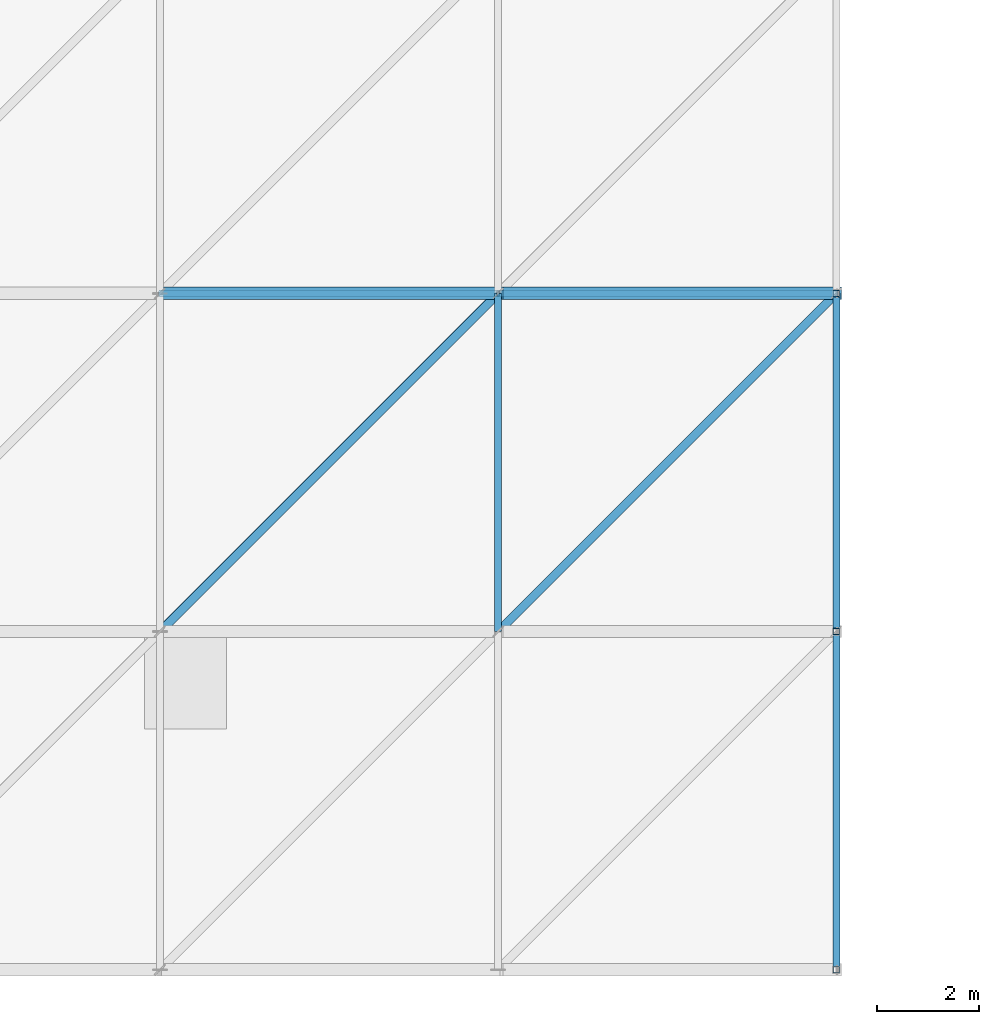
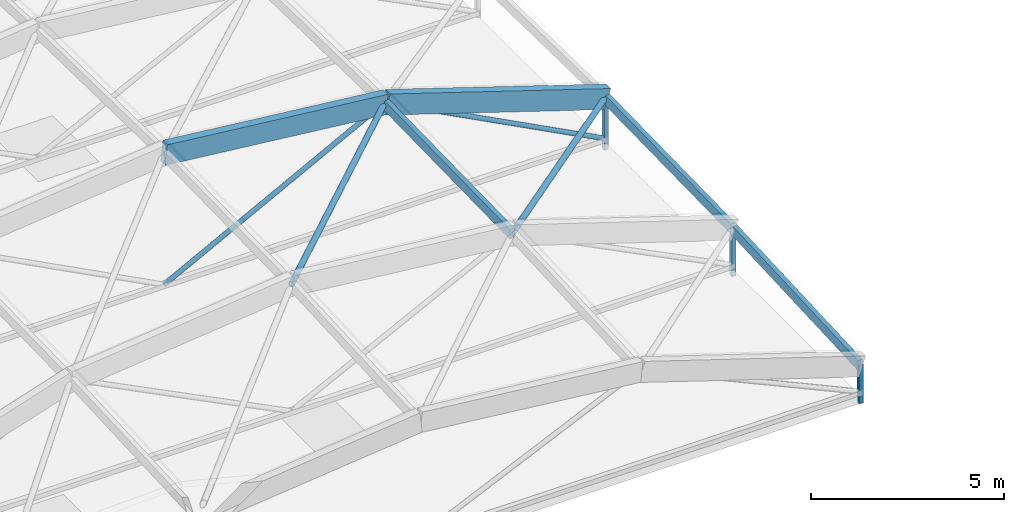
# One storey, part 25 of 157: 12 members.
"""IFC4 building model written with IfcOpenShell, lengths in metres."""

from ifc_helpers import new_model, si_unit, direction, frame, origin, origin_2d, place, context, subcontext, project, spatial, rectangle, hollow_rectangle, hollow_circle, extrude, material, material_profile, profile_set, type_object, element, save


model = new_model("IFC4")

# Units and contexts
model_context = context("Model", 3, precision=1e-05, world=origin(), true_north=direction((0.0, 1.0)))
body_context = subcontext(model_context, "Body", "Model", "MODEL_VIEW")
ifc_project = project(units=[si_unit("LENGTHUNIT", "METRE"), si_unit("AREAUNIT", "SQUARE_METRE"), si_unit("VOLUMEUNIT", "CUBIC_METRE"), si_unit("PLANEANGLEUNIT", "RADIAN"), si_unit("MASSUNIT", "GRAM", prefix="KILO")], contexts=[model_context])

# Site, building, storey
site_placement = place(None, origin())
site = spatial("IfcSite", under=ifc_project, at=site_placement, CompositionType="ELEMENT")
building_placement = place(site_placement, origin())
building = spatial("IfcBuilding", under=site, at=building_placement, Name="Karori Crest Natural Sciences Institute", CompositionType="ELEMENT")
storey_placement = place(building_placement, frame((0.0, 0.0, 13.300048828125)))
storey = spatial("IfcBuildingStorey", under=building, at=storey_placement, Name="L03", CompositionType="ELEMENT", Elevation=13.300048828125)

# Members
ifc_material_1 = material(Name="Hollow structural steel AS/NZS 1163 Grade C350", Category="steel")
ifc_material_profile_1 = material_profile(ifc_material_1, hollow_circle(Radius=0.084228515625, WallThickness=0.007080078125, at=origin_2d()), Name="CHS168.3x7.1")
ifc_profile_set_1 = profile_set([ifc_material_profile_1], Name="Hollow structural steel AS/NZS 1163 Grade C350")
member_type_1 = type_object("IfcMemberType", Name="MT-03", PredefinedType="BRACE", material=ifc_profile_set_1)
member_1_placement = place(storey_placement, frame((14.0, 7.39990234375, 4.13818359375), z_axis=(0.705741775976, 0.705741775976, -0.062105485132), x_axis=(-0.707106781187, 0.707106781187, 0.0)))
element("IfcMember", 1, at=member_1_placement, inside=storey, type_object=member_type_1, Name="Diagonal Brace M-0294", PredefinedType="BRACE", context=body_context, shape_type="SweptSolid", body=[
    extrude(hollow_circle(Radius=0.084228515625, WallThickness=0.007080078125, at=origin_2d()), origin(), (0.0, 0.0, 1.0), 9.35205078125),
])
member_2_placement = place(storey_placement, frame((20.60009765625, 7.39990234375, 3.425537109375), z_axis=(0.691314046893, 0.691339619861, -0.210081933016), x_axis=(-0.707119859409, 0.707093702722, 0.0)))
element("IfcMember", 2, at=member_2_placement, inside=storey, type_object=member_type_1, Name="Diagonal Brace M-0299", PredefinedType="BRACE", context=body_context, shape_type="SweptSolid", body=[
    extrude(hollow_circle(Radius=0.084228515625, WallThickness=0.007080078125, at=origin_2d()), origin(), (0.0, 0.0, 1.0), 9.546875),
])
ifc_material_2 = material(Name="Glulam GL12", Category="wood")
ifc_material_profile_2 = material_profile(ifc_material_2, rectangle(XDim=0.135009765625, YDim=0.31494140625, at=origin_2d()), Name="GL135x315")
ifc_profile_set_2 = profile_set([ifc_material_profile_2], Name="Glulam GL12")
member_type_2 = type_object("IfcMemberType", Name="MT-12", PredefinedType="PURLIN", material=ifc_profile_set_2)
member_3_placement = place(storey_placement, frame((27.199951171875, 0.800048828125, 0.969970703125), z_axis=(0.0, 0.998840383429, 0.048144453801), x_axis=(-1.0, 0.0, 0.0)))
element("IfcMember", 3, at=member_3_placement, inside=storey, type_object=member_type_2, Name="Member M-0278", PredefinedType="PURLIN", context=body_context, shape_type="SweptSolid", body=[
    extrude(rectangle(XDim=0.135009765625, YDim=0.31494140625, at=origin_2d()), origin(), (0.0, 0.0, 1.0), 6.607421875),
])
for number, where, z_axis, x_axis, name in (
    (4, (20.60009765625, 7.39990234375, 3.425537109375), (0.0, 0.999800562433, 0.019970862755), (-1.0, 0.0, 0.0), "Member M-0297"),
    (5, (27.199951171875, 7.39990234375, 1.2880859375), (0.0, 0.999800562433, 0.019970862755), (-1.0, 0.0, 0.0), "Member M-0298"),
):
    element("IfcMember", number, at=place(storey_placement, frame(where, z_axis=z_axis, x_axis=x_axis)), inside=storey, type_object=member_type_2, Name=name, PredefinedType="PURLIN", context=body_context, shape_type="SweptSolid", body=[
        extrude(rectangle(XDim=0.135009765625, YDim=0.31494140625, at=origin_2d()), origin(), (0.0, 0.0, 1.0), 6.601318359375),
    ])
ifc_material_profile_3 = material_profile(ifc_material_2, rectangle(XDim=0.239990234375, YDim=0.6298828125, at=origin_2d()), Name="GL240x630")
ifc_profile_set_3 = profile_set([ifc_material_profile_3], Name="Glulam GL12")
member_type_3 = type_object("IfcMemberType", Name="MT-15", PredefinedType="USERDEFINED", material=ifc_profile_set_3)
member_4_placement = place(storey_placement, frame((14.0, 14.0, 4.2900390625), z_axis=(0.994221165478, 0.0, -0.107351171933), x_axis=(0.0, 1.0, 0.0)))
element("IfcMember", 6, at=member_4_placement, inside=storey, type_object=member_type_3, Name="Member M-0311", ObjectType="ARCH_SEGMENT", PredefinedType="USERDEFINED", context=body_context, shape_type="SweptSolid", body=[
    extrude(rectangle(XDim=0.239990234375, YDim=0.6298828125, at=origin_2d()), origin(), (0.0, 0.0, 1.0), 6.638427734375),
])
member_5_placement = place(storey_placement, frame((20.60009765625, 14.0, 3.577392578125), z_axis=(0.951351409962, 0.0, -0.308107927134), x_axis=(0.0, 1.0, 0.0)))
element("IfcMember", 7, at=member_5_placement, inside=storey, type_object=member_type_3, Name="Member M-0315", ObjectType="ARCH_SEGMENT", PredefinedType="USERDEFINED", context=body_context, shape_type="SweptSolid", body=[
    extrude(rectangle(XDim=0.239990234375, YDim=0.6298828125, at=origin_2d()), origin(), (0.0, 0.0, 1.0), 6.937255859375),
])
ifc_material_profile_4 = material_profile(ifc_material_1, hollow_circle(Radius=0.06982421875, WallThickness=0.00634765625, at=origin_2d()), Name="CHS139.7x6.4")
ifc_profile_set_4 = profile_set([ifc_material_profile_4], Name="Hollow structural steel AS/NZS 1163 Grade C350")
member_type_4 = type_object("IfcMemberType", Name="MT-18-IL", PredefinedType="STRUT", material=ifc_profile_set_4)
member_6_placement = place(storey_placement, frame((14.0, 14.0, 0.119873046875), z_axis=(0.885813577094, 0.0, 0.464041276866), x_axis=(0.0, 1.0, 0.0)))
element("IfcMember", 8, at=member_6_placement, inside=storey, type_object=member_type_4, Name="Member M-0312", PredefinedType="STRUT", context=body_context, shape_type="SweptSolid", body=[
    extrude(hollow_circle(Radius=0.06982421875, WallThickness=0.00634765625, at=origin_2d()), origin(), (0.0, 0.0, 1.0), 7.450927734375),
])
member_7_placement = place(storey_placement, frame((27.199951171875, 14.0, 0.119873046875), z_axis=(-0.885806521003, 0.0, 0.464054746068), x_axis=(0.0, -1.0, 0.0)))
element("IfcMember", 9, at=member_7_placement, inside=storey, type_object=member_type_4, Name="Member M-0316", PredefinedType="STRUT", context=body_context, shape_type="SweptSolid", body=[
    extrude(hollow_circle(Radius=0.06982421875, WallThickness=0.00634765625, at=origin_2d()), origin(), (0.0, 0.0, 1.0), 7.45068359375),
])
ifc_material_profile_5 = material_profile(ifc_material_1, hollow_rectangle(XDim=0.125, YDim=0.125, WallThickness=0.006103515625, at=origin_2d()), Name="SHS125x125x6")
ifc_profile_set_5 = profile_set([ifc_material_profile_5], Name="Hollow structural steel AS/NZS 1163 Grade C350")
member_type_5 = type_object("IfcMemberType", Name="MT-20", PredefinedType="STRUT", material=ifc_profile_set_5)
member_8_placement = place(storey_placement, frame((27.199951171875, 0.800048828125, -0.199951171875), z_axis=(0.0, 0.0, 1.0), x_axis=(1.0, 0.0, 0.0)))
element("IfcMember", 10, at=member_8_placement, inside=storey, type_object=member_type_5, Name="Member M-0261", PredefinedType="STRUT", context=body_context, shape_type="SweptSolid", body=[
    extrude(hollow_rectangle(XDim=0.125, YDim=0.125, WallThickness=0.006103515625, at=origin_2d()), origin(), (0.0, 0.0, 1.0), 1.18994140625),
])
member_9_placement = place(storey_placement, frame((27.199951171875, 7.39990234375, -0.199951171875), z_axis=(0.0, 0.0, 1.0), x_axis=(1.0, 0.0, 0.0)))
element("IfcMember", 11, at=member_9_placement, inside=storey, type_object=member_type_5, Name="Member M-0281", PredefinedType="STRUT", context=body_context, shape_type="SweptSolid", body=[
    extrude(hollow_rectangle(XDim=0.125, YDim=0.125, WallThickness=0.006103515625, at=origin_2d()), origin(), (0.0, 0.0, 1.0), 1.508056640625),
])
member_10_placement = place(storey_placement, frame((27.199951171875, 14.0, -0.199951171875), z_axis=(0.0, 0.0, 1.0), x_axis=(1.0, 0.0, 0.0)))
element("IfcMember", 12, at=member_10_placement, inside=storey, type_object=member_type_5, Name="Member M-0301", PredefinedType="STRUT", context=body_context, shape_type="SweptSolid", body=[
    extrude(hollow_rectangle(XDim=0.125, YDim=0.125, WallThickness=0.006103515625, at=origin_2d()), origin(), (0.0, 0.0, 1.0), 1.639892578125),
])

save(model, "model.ifc")
